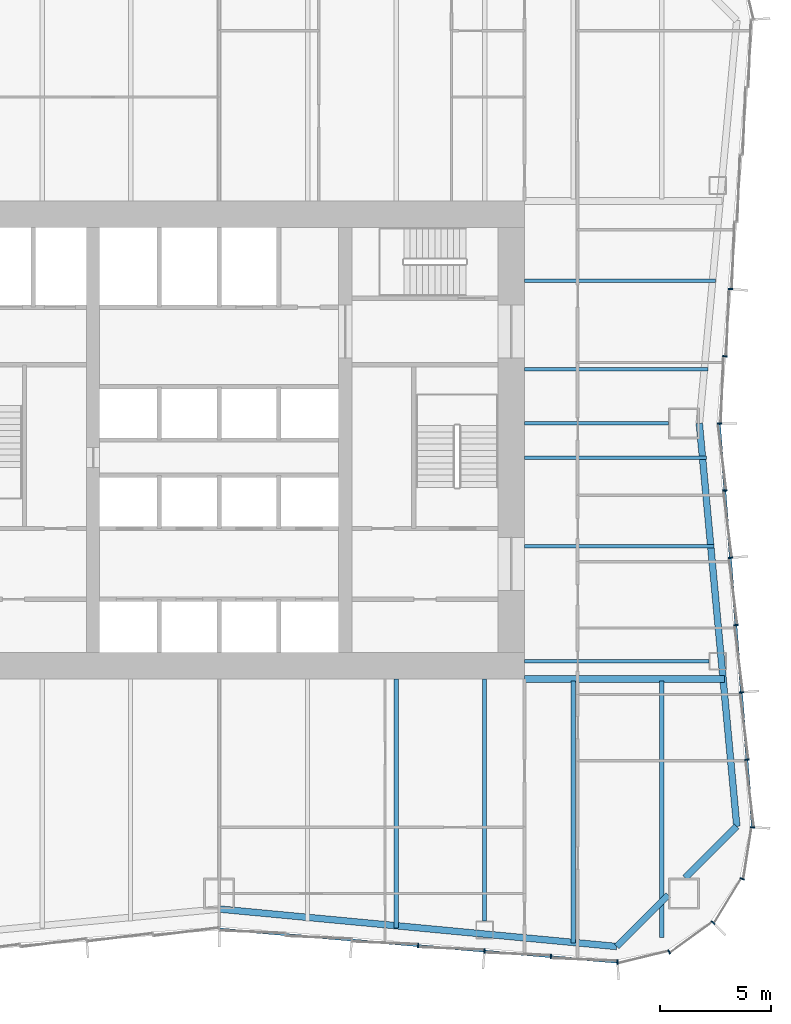
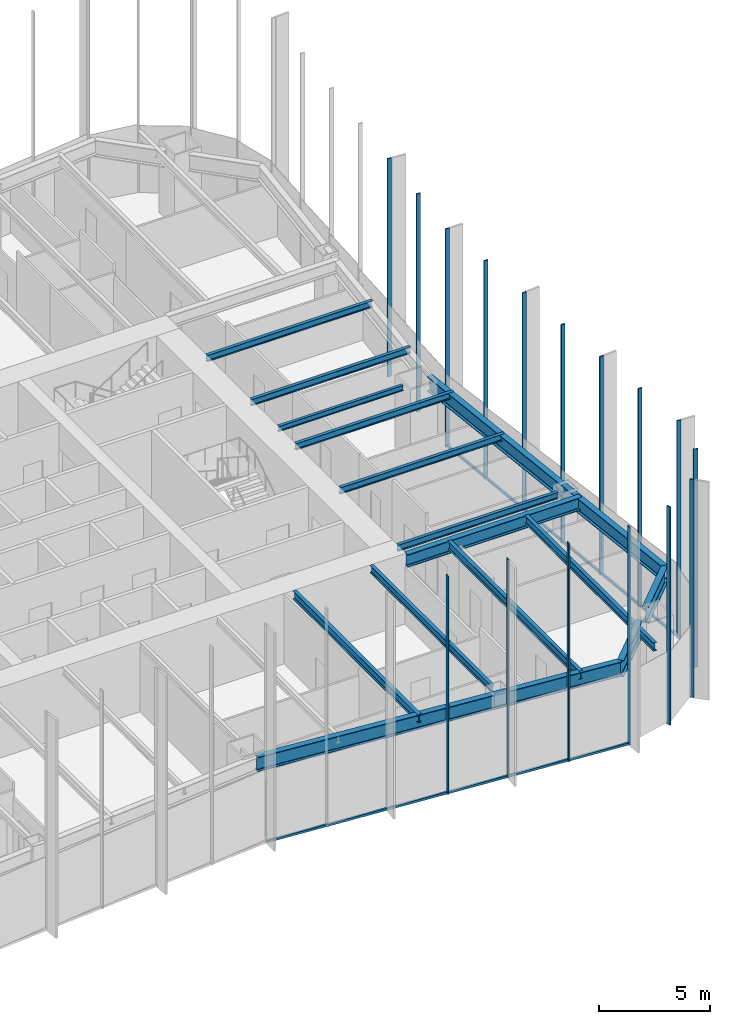
# One storey, part 4 of 13: 18 members, 15 beams, 3 elements without a shape of their own.
"""IFC4 building model written with IfcOpenShell, lengths in metres."""

from ifc_helpers import new_model, si_unit, direction, frame, origin, origin_2d, place, context, subcontext, project, spatial, rectangle, i_section, extrude, material, material_profile, profile_set, type_object, element, aggregate, save


model = new_model("IFC4")

# Units and contexts
model_context = context("Model", 3, precision=1e-05, world=origin(), true_north=direction((0.0, 1.0)))
body_context = subcontext(model_context, "Body", "Model", "MODEL_VIEW")
ifc_project = project(units=[si_unit("LENGTHUNIT", "METRE"), si_unit("AREAUNIT", "SQUARE_METRE"), si_unit("VOLUMEUNIT", "CUBIC_METRE"), si_unit("PLANEANGLEUNIT", "RADIAN"), si_unit("MASSUNIT", "GRAM", prefix="KILO")], contexts=[model_context])

# Site, building, storey
site_placement = place(None, origin())
site = spatial("IfcSite", under=ifc_project, at=site_placement, CompositionType="ELEMENT")
building_placement = place(site_placement, origin())
building = spatial("IfcBuilding", under=site, at=building_placement, Name="Verdant Reach Tower", CompositionType="ELEMENT")
storey_placement = place(building_placement, frame((0.0, 0.0, 82.0)))
storey = spatial("IfcBuildingStorey", under=building, at=storey_placement, Name="L18", CompositionType="ELEMENT", Elevation=82.0)

# Curtain wall, members
ifc_material_1 = material(Name="Anodised aluminium", Category="aluminium")
curtain_wall_type = type_object("IfcCurtainWallType", Name="EN-CW SYSTEM Z1", PredefinedType="NOTDEFINED", material=ifc_material_1)
curtain_wall_1_placement = place(storey_placement, origin())
curtain_wall_1 = element("IfcCurtainWall", 1, at=curtain_wall_1_placement, inside=storey, type_object=curtain_wall_type, Name="Curtain wall south-east corner, L18", PredefinedType="NOTDEFINED")
ifc_material_profile_1 = material_profile(ifc_material_1, rectangle(XDim=0.2060546875, YDim=0.06201171875, at=origin_2d()), Name="Mullion 62x206")
ifc_profile_set_1 = profile_set([ifc_material_profile_1], Name="Anodised aluminium")
member_type_1 = type_object("IfcMemberType", Name="EN-MULLION Z1", PredefinedType="MULLION", material=ifc_profile_set_1)
member_1_placement = place(storey_placement, frame((18.005859375, 4.397216796875, -0.35009765625), z_axis=(0.0, 0.0, 1.0), x_axis=(0.056569187765, -0.998398681387, 0.0)))
member_1 = element("IfcMember", 2, at=member_1_placement, type_object=member_type_1, Name="Mullion south-east corner 1, L18", PredefinedType="MULLION", context=body_context, shape_type="SweptSolid", body=[
    extrude(rectangle(XDim=0.2060546875, YDim=0.06201171875, at=origin_2d()), origin(), (0.0, 0.0, 1.0), 12.0),
])
member_2_placement = place(storey_placement, frame((20.33544921875, 4.861572265625, -0.35009765625), z_axis=(0.0, 0.0, 1.0), x_axis=(0.382693853776, -0.923875215753, 0.0)))
member_2 = element("IfcMember", 3, at=member_2_placement, type_object=member_type_1, Name="Mullion south-east corner 2, L18", PredefinedType="MULLION", context=body_context, shape_type="SweptSolid", body=[
    extrude(rectangle(XDim=0.2060546875, YDim=0.06201171875, at=origin_2d()), origin(), (0.0, 0.0, 1.0), 12.0),
])
member_3_placement = place(storey_placement, frame((22.3154296875, 6.1845703125, -0.35009765625), z_axis=(0.0, 0.0, 1.0), x_axis=(0.707106781187, -0.707106781187, 0.0)))
member_3 = element("IfcMember", 4, at=member_3_placement, type_object=member_type_1, Name="Mullion south-east corner 3, L18", PredefinedType="MULLION", context=body_context, shape_type="SweptSolid", body=[
    extrude(rectangle(XDim=0.2060546875, YDim=0.06201171875, at=origin_2d()), origin(), (0.0, 0.0, 1.0), 12.0),
])
member_4_placement = place(storey_placement, frame((23.638427734375, 8.16455078125, -0.35009765625), z_axis=(0.0, 0.0, 1.0), x_axis=(0.923875215753, -0.382693853776, 0.0)))
member_4 = element("IfcMember", 5, at=member_4_placement, type_object=member_type_1, Name="Mullion south-east corner 4, L18", PredefinedType="MULLION", context=body_context, shape_type="SweptSolid", body=[
    extrude(rectangle(XDim=0.2060546875, YDim=0.06201171875, at=origin_2d()), origin(), (0.0, 0.0, 1.0), 12.0),
])
aggregate(curtain_wall_1, [member_1, member_2, member_3, member_4])

curtain_wall_2_placement = place(storey_placement, origin())
curtain_wall_2 = element("IfcCurtainWall", 6, at=curtain_wall_2_placement, inside=storey, type_object=curtain_wall_type, Name="Curtain wall east, L18", PredefinedType="NOTDEFINED")
member_5_placement = place(storey_placement, frame((24.102783203125, 10.494140625, -0.35009765625), z_axis=(0.0, 0.0, 1.0), x_axis=(0.998366452275, -0.057135164055, 0.0)))
member_5 = element("IfcMember", 7, at=member_5_placement, type_object=member_type_1, Name="Mullion east face part 1 1, L18", PredefinedType="MULLION", context=body_context, shape_type="SweptSolid", body=[
    extrude(rectangle(XDim=0.2060546875, YDim=0.06201171875, at=origin_2d()), origin(), (0.0, 0.0, 1.0), 12.0),
])
member_6_placement = place(storey_placement, frame((23.8525390625, 13.550048828125, -0.35009765625), z_axis=(0.0, 0.0, 1.0), x_axis=(0.996639273542, 0.081915556724, 0.0)))
member_6 = element("IfcMember", 8, at=member_6_placement, type_object=member_type_1, Name="Mullion east face part 1 2, L18", PredefinedType="MULLION", context=body_context, shape_type="SweptSolid", body=[
    extrude(rectangle(XDim=0.2060546875, YDim=0.06201171875, at=origin_2d()), origin(), (0.0, 0.0, 1.0), 12.0),
])
member_7_placement = place(storey_placement, frame((23.6025390625, 16.591796875, -0.35009765625), z_axis=(0.0, 0.0, 1.0), x_axis=(0.996639273542, 0.081915556724, 0.0)))
member_7 = element("IfcMember", 9, at=member_7_placement, type_object=member_type_1, Name="Mullion east face part 1 3, L18", PredefinedType="MULLION", context=body_context, shape_type="SweptSolid", body=[
    extrude(rectangle(XDim=0.2060546875, YDim=0.06201171875, at=origin_2d()), origin(), (0.0, 0.0, 1.0), 12.0),
])
member_8_placement = place(storey_placement, frame((23.3525390625, 19.633544921875, -0.35009765625), z_axis=(0.0, 0.0, 1.0), x_axis=(0.996639273542, 0.081915556724, 0.0)))
member_8 = element("IfcMember", 10, at=member_8_placement, type_object=member_type_1, Name="Mullion east face part 1 4, L18", PredefinedType="MULLION", context=body_context, shape_type="SweptSolid", body=[
    extrude(rectangle(XDim=0.2060546875, YDim=0.06201171875, at=origin_2d()), origin(), (0.0, 0.0, 1.0), 12.0),
])
member_9_placement = place(storey_placement, frame((23.1025390625, 22.675048828125, -0.35009765625), z_axis=(0.0, 0.0, 1.0), x_axis=(0.996639273542, 0.081915556724, 0.0)))
member_9 = element("IfcMember", 11, at=member_9_placement, type_object=member_type_1, Name="Mullion east face part 1 5, L18", PredefinedType="MULLION", context=body_context, shape_type="SweptSolid", body=[
    extrude(rectangle(XDim=0.2060546875, YDim=0.06201171875, at=origin_2d()), origin(), (0.0, 0.0, 1.0), 12.0),
])
member_10_placement = place(storey_placement, frame((22.8525390625, 25.716796875, -0.35009765625), z_axis=(0.0, 0.0, 1.0), x_axis=(0.996639273542, 0.081915556724, 0.0)))
member_10 = element("IfcMember", 12, at=member_10_placement, type_object=member_type_1, Name="Mullion east face part 1 6, L18", PredefinedType="MULLION", context=body_context, shape_type="SweptSolid", body=[
    extrude(rectangle(XDim=0.2060546875, YDim=0.06201171875, at=origin_2d()), origin(), (0.0, 0.0, 1.0), 12.0),
])
member_11_placement = place(storey_placement, frame((22.60302734375, 28.75, -0.35009765625), z_axis=(0.0, 0.0, 1.0), x_axis=(1.0, 0.0, 0.0)))
member_11 = element("IfcMember", 13, at=member_11_placement, type_object=member_type_1, Name="Mullion east face part 2 1, L18", PredefinedType="MULLION", context=body_context, shape_type="SweptSolid", body=[
    extrude(rectangle(XDim=0.2060546875, YDim=0.06201171875, at=origin_2d()), origin(), (0.0, 0.0, 1.0), 12.0),
])
member_12_placement = place(storey_placement, frame((22.8525390625, 31.783203125, -0.35009765625), z_axis=(0.0, 0.0, 1.0), x_axis=(0.996639273542, -0.081915556724, 0.0)))
member_12 = element("IfcMember", 14, at=member_12_placement, type_object=member_type_1, Name="Mullion east face part 2 2, L18", PredefinedType="MULLION", context=body_context, shape_type="SweptSolid", body=[
    extrude(rectangle(XDim=0.2060546875, YDim=0.06201171875, at=origin_2d()), origin(), (0.0, 0.0, 1.0), 12.0),
])
member_13_placement = place(storey_placement, frame((23.1025390625, 34.824951171875, -0.35009765625), z_axis=(0.0, 0.0, 1.0), x_axis=(0.996639273542, -0.081915556724, 0.0)))
member_13 = element("IfcMember", 15, at=member_13_placement, type_object=member_type_1, Name="Mullion east face part 2 3, L18", PredefinedType="MULLION", context=body_context, shape_type="SweptSolid", body=[
    extrude(rectangle(XDim=0.2060546875, YDim=0.06201171875, at=origin_2d()), origin(), (0.0, 0.0, 1.0), 12.0),
])

curtain_wall_3_placement = place(storey_placement, origin())
curtain_wall_3 = element("IfcCurtainWall", 16, at=curtain_wall_3_placement, inside=storey, type_object=curtain_wall_type, Name="Curtain wall south, L18", PredefinedType="NOTDEFINED")
member_14_placement = place(storey_placement, frame((8.991455078125, 5.1474609375, -0.35009765625), z_axis=(0.0, 0.0, 1.0), x_axis=(-0.083045479859, -0.996545758244, 0.0)))
member_14 = element("IfcMember", 17, at=member_14_placement, type_object=member_type_1, Name="Mullion south face part 2 4, L18", PredefinedType="MULLION", context=body_context, shape_type="SweptSolid", body=[
    extrude(rectangle(XDim=0.2060546875, YDim=0.06201171875, at=origin_2d()), origin(), (0.0, 0.0, 1.0), 12.0),
])
member_15_placement = place(storey_placement, frame((11.991455078125, 4.8974609375, -0.35009765625), z_axis=(0.0, 0.0, 1.0), x_axis=(-0.083045479859, -0.996545758244, 0.0)))
member_15 = element("IfcMember", 18, at=member_15_placement, type_object=member_type_1, Name="Mullion south face part 2 5, L18", PredefinedType="MULLION", context=body_context, shape_type="SweptSolid", body=[
    extrude(rectangle(XDim=0.2060546875, YDim=0.06201171875, at=origin_2d()), origin(), (0.0, 0.0, 1.0), 12.0),
])
member_16_placement = place(storey_placement, frame((14.991455078125, 4.6474609375, -0.35009765625), z_axis=(0.0, 0.0, 1.0), x_axis=(-0.083045479859, -0.996545758244, 0.0)))
member_16 = element("IfcMember", 19, at=member_16_placement, type_object=member_type_1, Name="Mullion south face part 2 6, L18", PredefinedType="MULLION", context=body_context, shape_type="SweptSolid", body=[
    extrude(rectangle(XDim=0.2060546875, YDim=0.06201171875, at=origin_2d()), origin(), (0.0, 0.0, 1.0), 12.0),
])

# Member
ifc_material_profile_2 = material_profile(ifc_material_1, rectangle(XDim=0.10009765625, YDim=0.1220703125, at=origin_2d()), Name="Transom 122x100")
ifc_profile_set_2 = profile_set([ifc_material_profile_2], Name="Anodised aluminium")
member_type_2 = type_object("IfcMemberType", Name="EN-TRANSOM Z1", PredefinedType="USERDEFINED", material=ifc_profile_set_2)
member_17_placement = place(storey_placement, frame((24.100341796875, 10.52490234375, -0.2890625), z_axis=(-0.081886623329, 0.996641651207, 0.0), x_axis=(-0.996641651207, -0.081886623329, 0.0)))
member_17 = element("IfcMember", 20, at=member_17_placement, type_object=member_type_2, Name="Transom east face part 1 1.1, L18", ObjectType="TRANSOM", PredefinedType="USERDEFINED", context=body_context, shape_type="SweptSolid", body=[
    extrude(rectangle(XDim=0.10009765625, YDim=0.1220703125, at=origin_2d()), origin(), (0.0, 0.0, 1.0), 18.25537109375),
])

aggregate(curtain_wall_2, [member_5, member_6, member_7, member_8, member_9, member_10, member_17, member_11, member_12, member_13])

member_18_placement = place(storey_placement, frame((0.031005859375, 5.89453125, -0.2890625), z_axis=(0.996547815143, -0.083020793384, 0.0), x_axis=(0.083020793384, 0.996547815143, 0.0)))
member_18 = element("IfcMember", 21, at=member_18_placement, type_object=member_type_2, Name="Transom south face part 2 1.1, L18", ObjectType="TRANSOM", PredefinedType="USERDEFINED", context=body_context, shape_type="SweptSolid", body=[
    extrude(rectangle(XDim=0.10009765625, YDim=0.1220703125, at=origin_2d()), origin(), (0.0, 0.0, 1.0), 18.006103515625),
])

aggregate(curtain_wall_3, [member_14, member_15, member_16, member_18])

# Beams
ifc_material_2 = material(Name="Steel S355", Category="steel")
ifc_material_profile_3 = material_profile(ifc_material_2, i_section(OverallWidth=0.300048828125, OverallDepth=0.699951171875, WebThickness=0.01708984375, FlangeThickness=0.031982421875, FilletRadius=0.027099609375, at=origin_2d()), Name="HEB 700")
ifc_profile_set_3 = profile_set([ifc_material_profile_3], Name="Steel S355")
beam_type_1 = type_object("IfcBeamType", Name="ST-BEAM-HEB700", PredefinedType="BEAM", material=ifc_profile_set_3)
beam_1_placement = place(storey_placement, frame((13.800048828125, 17.199951171875, 3.52001953125), z_axis=(1.0, 0.0, 0.0), x_axis=(0.0, 1.0, 0.0)))
element("IfcBeam", 22, at=beam_1_placement, inside=storey, type_object=beam_type_1, Name="Trimmer beam, L18", PredefinedType="BEAM", context=body_context, shape_type="SweptSolid", body=[
    extrude(i_section(OverallWidth=0.300048828125, OverallDepth=0.699951171875, WebThickness=0.01708984375, FlangeThickness=0.031982421875, FilletRadius=0.027099609375, at=origin_2d()), origin(), (0.0, 0.0, 1.0), 9.04736328125),
])
ifc_material_profile_4 = material_profile(ifc_material_2, i_section(OverallWidth=0.14990234375, OverallDepth=0.300048828125, WebThickness=0.007080078125, FlangeThickness=0.0107421875, FilletRadius=0.014892578125, at=origin_2d()), Name="IPE 300")
ifc_profile_set_4 = profile_set([ifc_material_profile_4], Name="Steel S355")
beam_type_2 = type_object("IfcBeamType", Name="ST-JOIST-IPE300", PredefinedType="JOIST", material=ifc_profile_set_4)
beam_2_placement = place(storey_placement, frame((13.800048828125, 28.75, 3.719970703125), z_axis=(1.0, 0.0, 0.0), x_axis=(0.0, 1.0, 0.0)))
element("IfcBeam", 23, at=beam_2_placement, inside=storey, type_object=beam_type_2, Name="Floor joist, L18", PredefinedType="JOIST", context=body_context, shape_type="SweptSolid", body=[
    extrude(i_section(OverallWidth=0.14990234375, OverallDepth=0.300048828125, WebThickness=0.007080078125, FlangeThickness=0.0107421875, FilletRadius=0.014892578125, at=origin_2d()), origin(), (0.0, 0.0, 1.0), 6.5),
])
ifc_material_profile_5 = material_profile(ifc_material_2, i_section(OverallWidth=0.169921875, OverallDepth=0.360107421875, WebThickness=0.008056640625, FlangeThickness=0.0126953125, FilletRadius=0.01806640625, at=origin_2d()), Name="IPE 360")
ifc_profile_set_5 = profile_set([ifc_material_profile_5], Name="Steel S355")
beam_type_3 = type_object("IfcBeamType", Name="ST-JOIST-IPE360", PredefinedType="JOIST", material=ifc_profile_set_5)
beam_3_placement = place(storey_placement, frame((13.800048828125, 18.0, 3.68994140625), z_axis=(1.0, 0.0, 0.0), x_axis=(0.0, 1.0, 0.0)))
element("IfcBeam", 24, at=beam_3_placement, inside=storey, type_object=beam_type_3, Name="Floor joist, L18", PredefinedType="JOIST", context=body_context, shape_type="SweptSolid", body=[
    extrude(i_section(OverallWidth=0.169921875, OverallDepth=0.360107421875, WebThickness=0.008056640625, FlangeThickness=0.0126953125, FilletRadius=0.01806640625, at=origin_2d()), origin(), (0.0, 0.0, 1.0), 8.33349609375),
])
beam_4_placement = place(storey_placement, frame((13.800048828125, 23.199951171875, 3.68994140625), z_axis=(1.0, 0.0, 0.0), x_axis=(0.0, 1.0, 0.0)))
element("IfcBeam", 25, at=beam_4_placement, inside=storey, type_object=beam_type_3, Name="Floor joist, L18", PredefinedType="JOIST", context=body_context, shape_type="SweptSolid", body=[
    extrude(i_section(OverallWidth=0.169921875, OverallDepth=0.360107421875, WebThickness=0.008056640625, FlangeThickness=0.0126953125, FilletRadius=0.01806640625, at=origin_2d()), origin(), (0.0, 0.0, 1.0), 8.553955078125),
])
beam_5_placement = place(storey_placement, frame((13.800048828125, 27.199951171875, 3.68994140625), z_axis=(1.0, 0.0, 0.0), x_axis=(0.0, 1.0, 0.0)))
element("IfcBeam", 26, at=beam_5_placement, inside=storey, type_object=beam_type_3, Name="Floor joist, L18", PredefinedType="JOIST", context=body_context, shape_type="SweptSolid", body=[
    extrude(i_section(OverallWidth=0.169921875, OverallDepth=0.360107421875, WebThickness=0.008056640625, FlangeThickness=0.0126953125, FilletRadius=0.01806640625, at=origin_2d()), origin(), (0.0, 0.0, 1.0), 8.225341796875),
])
beam_6_placement = place(storey_placement, frame((13.800048828125, 31.199951171875, 3.68994140625), z_axis=(1.0, 0.0, 0.0), x_axis=(0.0, 1.0, 0.0)))
element("IfcBeam", 27, at=beam_6_placement, inside=storey, type_object=beam_type_3, Name="Floor joist, L18", PredefinedType="JOIST", context=body_context, shape_type="SweptSolid", body=[
    extrude(i_section(OverallWidth=0.169921875, OverallDepth=0.360107421875, WebThickness=0.008056640625, FlangeThickness=0.0126953125, FilletRadius=0.01806640625, at=origin_2d()), origin(), (0.0, 0.0, 1.0), 8.29931640625),
])
beam_7_placement = place(storey_placement, frame((13.800048828125, 35.199951171875, 3.68994140625), z_axis=(1.0, 0.0, 0.0), x_axis=(0.0, 1.0, 0.0)))
element("IfcBeam", 28, at=beam_7_placement, inside=storey, type_object=beam_type_3, Name="Floor joist, L18", PredefinedType="JOIST", context=body_context, shape_type="SweptSolid", body=[
    extrude(i_section(OverallWidth=0.169921875, OverallDepth=0.360107421875, WebThickness=0.008056640625, FlangeThickness=0.0126953125, FilletRadius=0.01806640625, at=origin_2d()), origin(), (0.0, 0.0, 1.0), 8.6279296875),
])
ifc_material_profile_6 = material_profile(ifc_material_2, i_section(OverallWidth=0.179931640625, OverallDepth=0.39990234375, WebThickness=0.008544921875, FlangeThickness=0.013427734375, FilletRadius=0.02099609375, at=origin_2d()), Name="IPE 400")
ifc_profile_set_6 = profile_set([ifc_material_profile_6], Name="Steel S355")
beam_type_4 = type_object("IfcBeamType", Name="ST-JOIST-IPE400", PredefinedType="JOIST", material=ifc_profile_set_6)
beam_8_placement = place(storey_placement, frame((12.0, 17.199951171875, 3.669921875), z_axis=(0.0, -1.0, 0.0), x_axis=(1.0, 0.0, 0.0)))
element("IfcBeam", 29, at=beam_8_placement, inside=storey, type_object=beam_type_4, Name="Floor joist, L18", PredefinedType="JOIST", context=body_context, shape_type="SweptSolid", body=[
    extrude(i_section(OverallWidth=0.179931640625, OverallDepth=0.39990234375, WebThickness=0.008544921875, FlangeThickness=0.013427734375, FilletRadius=0.02099609375, at=origin_2d()), origin(), (0.0, 0.0, 1.0), 10.949951171875),
])
ifc_material_profile_7 = material_profile(ifc_material_2, i_section(OverallWidth=0.18994140625, OverallDepth=0.449951171875, WebThickness=0.009521484375, FlangeThickness=0.0146484375, FilletRadius=0.02099609375, at=origin_2d()), Name="IPE 450")
ifc_profile_set_7 = profile_set([ifc_material_profile_7], Name="Steel S355")
beam_type_5 = type_object("IfcBeamType", Name="ST-JOIST-IPE450", PredefinedType="JOIST", material=ifc_profile_set_7)
beam_9_placement = place(storey_placement, frame((8.0, 17.199951171875, 3.64501953125), z_axis=(0.0, -1.0, 0.0), x_axis=(1.0, 0.0, 0.0)))
element("IfcBeam", 30, at=beam_9_placement, inside=storey, type_object=beam_type_5, Name="Floor joist, L18", PredefinedType="JOIST", context=body_context, shape_type="SweptSolid", body=[
    extrude(i_section(OverallWidth=0.18994140625, OverallDepth=0.449951171875, WebThickness=0.009521484375, FlangeThickness=0.0146484375, FilletRadius=0.02099609375, at=origin_2d()), origin(), (0.0, 0.0, 1.0), 11.2646484375),
])
beam_10_placement = place(storey_placement, frame((16.0, 17.10009765625, 3.64501953125), z_axis=(0.0, -1.0, 0.0), x_axis=(1.0, 0.0, 0.0)))
element("IfcBeam", 31, at=beam_10_placement, inside=storey, type_object=beam_type_5, Name="Floor joist, L18", PredefinedType="JOIST", context=body_context, shape_type="SweptSolid", body=[
    extrude(i_section(OverallWidth=0.18994140625, OverallDepth=0.449951171875, WebThickness=0.009521484375, FlangeThickness=0.0146484375, FilletRadius=0.02099609375, at=origin_2d()), origin(), (0.0, 0.0, 1.0), 11.831298828125),
])
beam_11_placement = place(storey_placement, frame((20.0, 17.10009765625, 3.64501953125), z_axis=(0.0, -1.0, 0.0), x_axis=(1.0, 0.0, 0.0)))
element("IfcBeam", 32, at=beam_11_placement, inside=storey, type_object=beam_type_5, Name="Floor joist, L18", PredefinedType="JOIST", context=body_context, shape_type="SweptSolid", body=[
    extrude(i_section(OverallWidth=0.18994140625, OverallDepth=0.449951171875, WebThickness=0.009521484375, FlangeThickness=0.0146484375, FilletRadius=0.02099609375, at=origin_2d()), origin(), (0.0, 0.0, 1.0), 11.590576171875),
])
ifc_material_profile_8 = material_profile(ifc_material_2, i_section(OverallWidth=0.300048828125, OverallDepth=0.800048828125, WebThickness=0.017578125, FlangeThickness=0.032958984375, FilletRadius=0.030029296875, at=origin_2d()), Name="HEB 800")
ifc_profile_set_8 = profile_set([ifc_material_profile_8], Name="Steel S355")
beam_type_6 = type_object("IfcBeamType", Name="ST-SPANDREL-HEB800", PredefinedType="SPANDREL", material=ifc_profile_set_8)
beam_12_placement = place(storey_placement, frame((17.9658203125, 5.10498046875, 3.469970703125), z_axis=(-0.995578571765, 0.093932462137, 0.0), x_axis=(-0.093932462137, -0.995578571765, 0.0)))
element("IfcBeam", 33, at=beam_12_placement, inside=storey, type_object=beam_type_6, Name="Edge beam, L18", PredefinedType="SPANDREL", context=body_context, shape_type="SweptSolid", body=[
    extrude(i_section(OverallWidth=0.300048828125, OverallDepth=0.800048828125, WebThickness=0.017578125, FlangeThickness=0.032958984375, FilletRadius=0.030029296875, at=origin_2d()), origin(), (0.0, 0.0, 1.0), 18.045654296875),
])
beam_13_placement = place(storey_placement, frame((21.699951171875, 28.75, 3.469970703125), z_axis=(0.092656907618, -0.995698095544, 0.0), x_axis=(0.995698095544, 0.092656907618, 0.0)))
element("IfcBeam", 34, at=beam_13_placement, inside=storey, type_object=beam_type_6, Name="Edge beam, L18", PredefinedType="SPANDREL", context=body_context, shape_type="SweptSolid", body=[
    extrude(i_section(OverallWidth=0.300048828125, OverallDepth=0.800048828125, WebThickness=0.017578125, FlangeThickness=0.032958984375, FilletRadius=0.030029296875, at=origin_2d()), origin(), (0.0, 0.0, 1.0), 18.2939453125),
])
ifc_material_profile_9 = material_profile(ifc_material_2, i_section(OverallWidth=0.302001953125, OverallDepth=0.909912109375, WebThickness=0.02099609375, FlangeThickness=0.0400390625, FilletRadius=0.030029296875, at=origin_2d()), Name="HEM 900")
ifc_profile_set_9 = profile_set([ifc_material_profile_9], Name="Steel S355")
beam_type_7 = type_object("IfcBeamType", Name="ST-SPANDREL-HEM900", PredefinedType="SPANDREL", material=ifc_profile_set_9)
beam_14_placement = place(storey_placement, frame((23.39501953125, 10.53466796875, 3.4150390625), z_axis=(-0.707069807316, -0.707143753123, 0.0), x_axis=(0.707143753123, -0.707069807316, 0.0)))
element("IfcBeam", 35, at=beam_14_placement, inside=storey, type_object=beam_type_7, Name="Edge beam, L18", PredefinedType="SPANDREL", context=body_context, shape_type="SweptSolid", body=[
    extrude(i_section(OverallWidth=0.302001953125, OverallDepth=0.909912109375, WebThickness=0.02099609375, FlangeThickness=0.0400390625, FilletRadius=0.030029296875, at=origin_2d()), origin(), (0.0, 0.0, 1.0), 3.301513671875),
])
beam_15_placement = place(storey_placement, frame((20.300048828125, 7.439208984375, 3.4150390625), z_axis=(-0.707106781187, -0.707106781187, 0.0), x_axis=(0.707106781187, -0.707106781187, 0.0)))
element("IfcBeam", 36, at=beam_15_placement, inside=storey, type_object=beam_type_7, Name="Edge beam, L18", PredefinedType="SPANDREL", context=body_context, shape_type="SweptSolid", body=[
    extrude(i_section(OverallWidth=0.302001953125, OverallDepth=0.909912109375, WebThickness=0.02099609375, FlangeThickness=0.0400390625, FilletRadius=0.030029296875, at=origin_2d()), origin(), (0.0, 0.0, 1.0), 3.301025390625),
])

save(model, "model.ifc")
